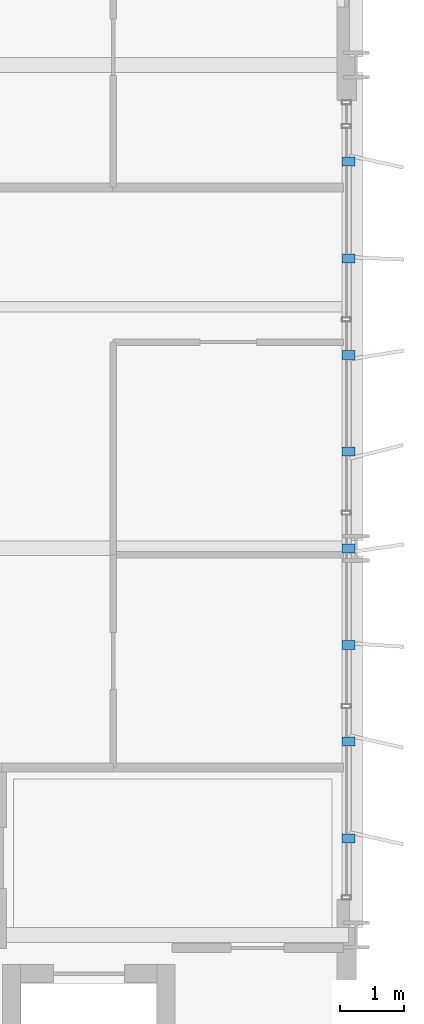
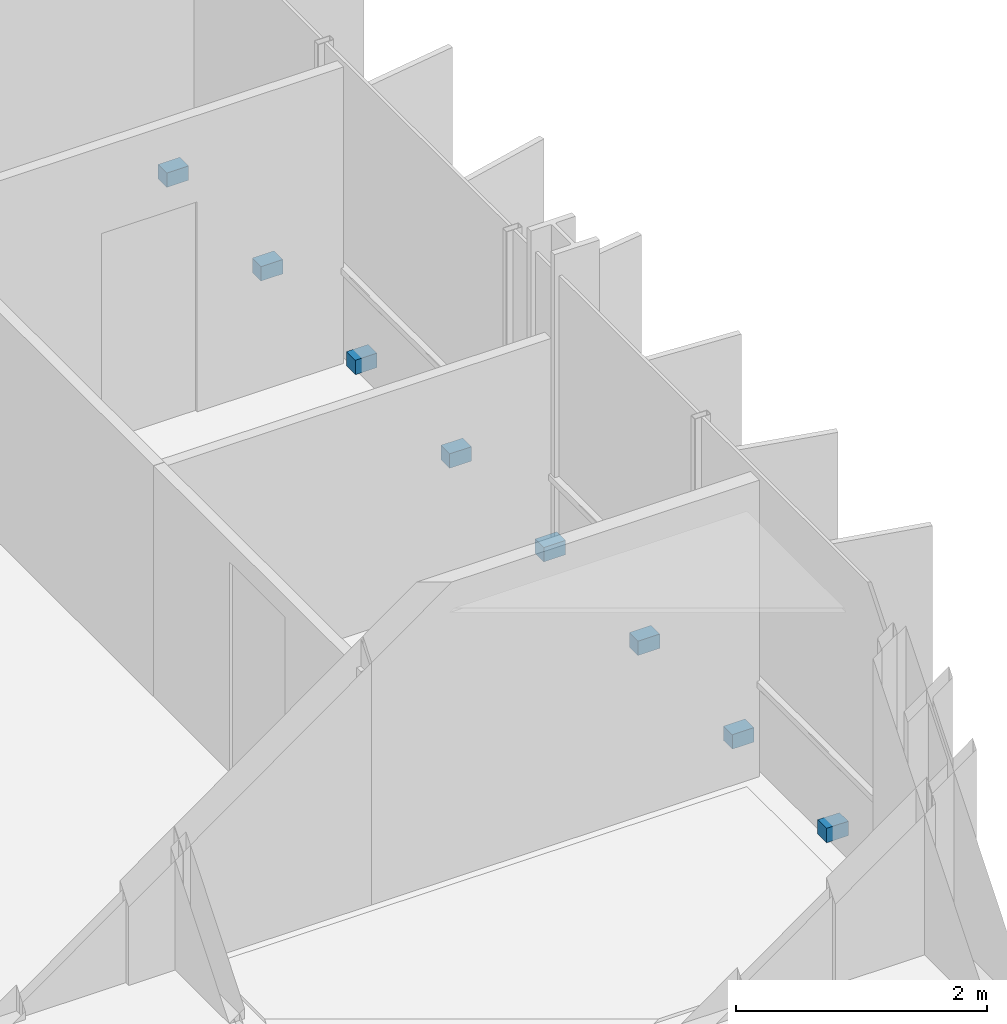
# One storey, part 34 of 38: 8 discrete accessories.
"""IFC4 building model written with IfcOpenShell, lengths in metres."""

from ifc_helpers import new_model, si_unit, direction, frame, origin, origin_2d, place, context, subcontext, project, spatial, rectangle, extrude, material, type_object, element, save


model = new_model("IFC4")

# Units and contexts
model_context = context("Model", 3, precision=1e-05, world=origin(), true_north=direction((0.0, 1.0)))
body_context = subcontext(model_context, "Body", "Model", "MODEL_VIEW")
ifc_project = project(units=[si_unit("LENGTHUNIT", "METRE"), si_unit("AREAUNIT", "SQUARE_METRE"), si_unit("VOLUMEUNIT", "CUBIC_METRE"), si_unit("PLANEANGLEUNIT", "RADIAN"), si_unit("MASSUNIT", "GRAM", prefix="KILO")], contexts=[model_context])

# Site, building, storey
site_placement = place(None, origin())
site = spatial("IfcSite", under=ifc_project, at=site_placement, CompositionType="ELEMENT")
building_placement = place(site_placement, origin())
building = spatial("IfcBuilding", under=site, at=building_placement, Name="Brevholm Reach", CompositionType="ELEMENT")
storey_placement = place(building_placement, frame((0.0, 0.0, 128.300048828125)))
storey = spatial("IfcBuildingStorey", under=building, at=storey_placement, Name="L38", CompositionType="ELEMENT", Elevation=128.300048828125)

# Discrete accessories
ifc_material = material(Name="Duplex Stainless Steel EN 1.4462", Category="steel")
discrete_accessory_type = type_object("IfcDiscreteAccessoryType", Name="ACC-BRK-01", PredefinedType="BRACKET", material=ifc_material)
for number, where, z_axis, x_axis, name in (
    (1, (59.8798828125, 11.5, 0.02978515625), (0.0, 0.0, 1.0), (1.0, 0.0, 0.0), "L38 Solar Screen Support Bracket 1"),
    (2, (59.8798828125, 13.0, 0.02978515625), (0.0, 0.0, 1.0), (1.0, 0.0, 0.0), "L38 Solar Screen Support Bracket 2"),
    (3, (59.8798828125, 14.5, 0.02978515625), (0.0, 0.0, 1.0), (1.0, 0.0, 0.0), "L38 Solar Screen Support Bracket 3"),
    (4, (59.8798828125, 16.0, 0.02978515625), (0.0, 0.0, 1.0), (1.0, 0.0, 0.0), "L38 Solar Screen Support Bracket 4"),
    (5, (59.8798828125, 17.5, 0.02978515625), (0.0, 0.0, 1.0), (1.0, 0.0, 0.0), "L38 Solar Screen Support Bracket 5"),
    (6, (59.8798828125, 19.0, 0.02978515625), (0.0, 0.0, 1.0), (1.0, 0.0, 0.0), "L38 Solar Screen Support Bracket 6"),
    (7, (59.8798828125, 20.5, 0.02978515625), (0.0, 0.0, 1.0), (1.0, 0.0, 0.0), "L38 Solar Screen Support Bracket 7"),
    (8, (59.8798828125, 22.0, 0.02978515625), (0.0, 0.0, 1.0), (1.0, 0.0, 0.0), "L38 Solar Screen Support Bracket 8"),
):
    element("IfcDiscreteAccessory", number, at=place(storey_placement, frame(where, z_axis=z_axis, x_axis=x_axis)), inside=storey, type_object=discrete_accessory_type, Name=name, PredefinedType="BRACKET", context=body_context, shape_type="SweptSolid", body=[
        extrude(rectangle(XDim=0.199951171875, YDim=0.139892578125, at=origin_2d()), origin(), (0.0, 0.0, 1.0), 0.139892578125),
    ])

save(model, "model.ifc")
